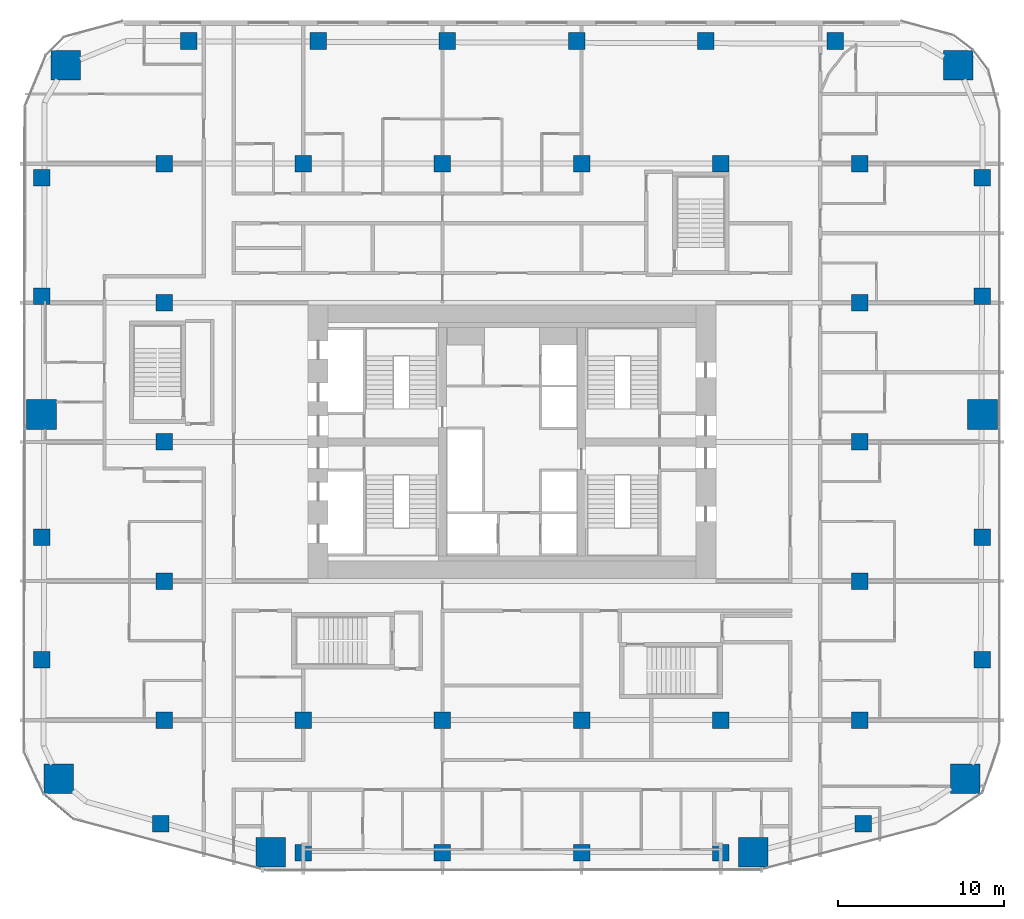
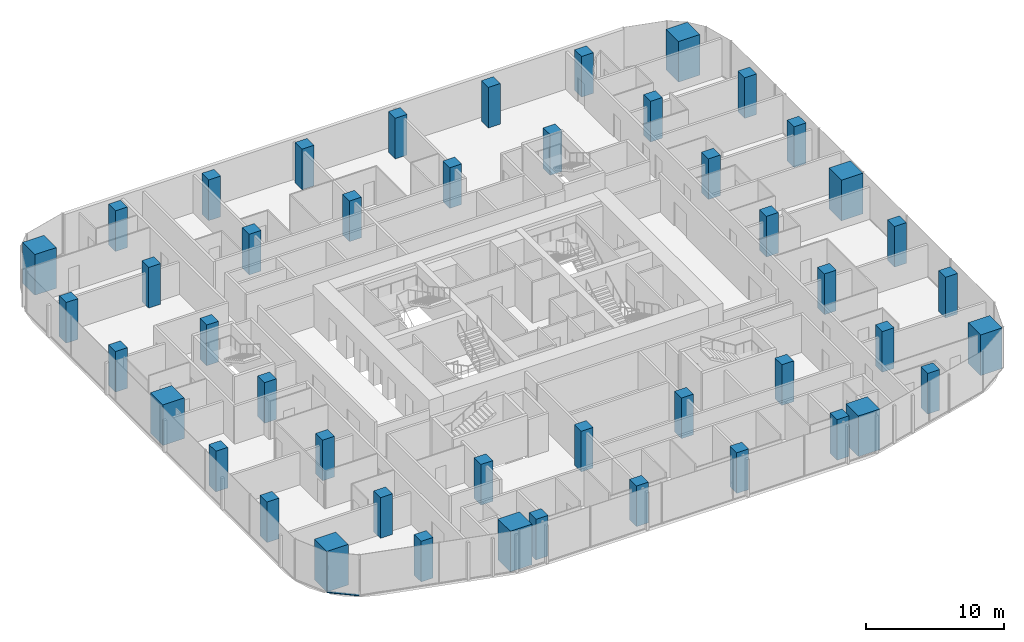
# One storey, part 1 of 25: 46 columns, 1 member, 1 element without a shape of its own.
"""IFC4 building model written with IfcOpenShell, lengths in metres."""

from ifc_helpers import new_model, si_unit, direction, frame, origin, origin_2d, place, context, subcontext, project, spatial, rectangle, extrude, material, layer, layer_set, material_profile, profile_set, type_object, element, aggregate, save


model = new_model("IFC4")

# Units and contexts
model_context = context("Model", 3, precision=1e-05, world=origin(), true_north=direction((0.0, 1.0)))
body_context = subcontext(model_context, "Body", "Model", "MODEL_VIEW")
ifc_project = project(units=[si_unit("LENGTHUNIT", "METRE"), si_unit("AREAUNIT", "SQUARE_METRE"), si_unit("VOLUMEUNIT", "CUBIC_METRE"), si_unit("PLANEANGLEUNIT", "RADIAN"), si_unit("MASSUNIT", "GRAM", prefix="KILO")], contexts=[model_context])

# Site, building, storey
site_placement = place(None, origin())
site = spatial("IfcSite", under=ifc_project, at=site_placement, CompositionType="ELEMENT")
building_placement = place(site_placement, origin())
building = spatial("IfcBuilding", under=site, at=building_placement, Name="Marenta Gate Hotel Tower", CompositionType="ELEMENT")
storey_placement = place(building_placement, frame((0.0, 0.0, 50.89990234375)))
storey = spatial("IfcBuildingStorey", under=building, at=storey_placement, Name="L10", CompositionType="ELEMENT", Elevation=50.89990234375)

# Columns
ifc_material_1 = material(Name="Concrete C80", Category="concrete")
ifc_material_profile_1 = material_profile(ifc_material_1, rectangle(XDim=1.0, YDim=1.0, at=origin_2d()), Name="1000 x 1000")
ifc_profile_set_1 = profile_set([ifc_material_profile_1], Name="Concrete C80")
column_type_1 = type_object("IfcColumnType", Name="Edge column 1000 x 1000 C80", PredefinedType="COLUMN", material=ifc_profile_set_1)
for number, where, z_axis, x_axis, name in (
    (1, (-28.39990234375, -4.751953125, 0.0), (0.0, 0.0, 1.0), (1.0, 0.0, 0.0), "L10-EC-SW-W-1"),
    (2, (-28.39990234375, 2.649169921875, 0.0), (0.0, 0.0, 1.0), (1.0, 0.0, 0.0), "L10-EC-SW-W-2"),
    (3, (-28.39990234375, 17.203125, 0.0), (0.0, 0.0, 1.0), (1.0, 0.0, 0.0), "L10-EC-W-NW-1"),
    (4, (-28.39990234375, 24.3564453125, 0.0), (0.0, 0.0, 1.0), (1.0, 0.0, 0.0), "L10-EC-W-NW-2"),
    (5, (-19.5068359375, 32.60009765625, 0.0), (0.0, 0.0, 1.0), (1.0, 0.0, 0.0), "L10-EC-NW-NE-1"),
    (6, (-11.7041015625, 32.60009765625, 0.0), (0.0, 0.0, 1.0), (1.0, 0.0, 0.0), "L10-EC-NW-NE-2"),
    (7, (-3.9013671875, 32.60009765625, 0.0), (0.0, 0.0, 1.0), (1.0, 0.0, 0.0), "L10-EC-NW-NE-3"),
    (8, (3.9013671875, 32.60009765625, 0.0), (0.0, 0.0, 1.0), (1.0, 0.0, 0.0), "L10-EC-NW-NE-4"),
    (9, (11.7041015625, 32.60009765625, 0.0), (0.0, 0.0, 1.0), (1.0, 0.0, 0.0), "L10-EC-NW-NE-5"),
    (10, (19.5068359375, 32.60009765625, 0.0), (0.0, 0.0, 1.0), (1.0, 0.0, 0.0), "L10-EC-NW-NE-6"),
    (11, (28.39990234375, 24.3564453125, 0.0), (0.0, 0.0, 1.0), (1.0, 0.0, 0.0), "L10-EC-NE-E-1"),
    (12, (28.39990234375, 17.203125, 0.0), (0.0, 0.0, 1.0), (1.0, 0.0, 0.0), "L10-EC-NE-E-2"),
    (13, (28.39990234375, 2.649169921875, 0.0), (0.0, 0.0, 1.0), (1.0, 0.0, 0.0), "L10-EC-E-SE-1"),
    (14, (28.39990234375, -4.751953125, 0.0), (0.0, 0.0, 1.0), (1.0, 0.0, 0.0), "L10-EC-E-SE-2"),
    (15, (21.206787109375, -14.63916015625, 0.0), (0.0, 0.0, 1.0), (1.0, 0.0, 0.0), "L10-EC-SE-SKE-1"),
    (16, (12.60009765625, -16.39990234375, 0.0), (0.0, 0.0, 1.0), (1.0, 0.0, 0.0), "L10-EC-SKE-SKW-1"),
    (17, (4.199951171875, -16.39990234375, 0.0), (0.0, 0.0, 1.0), (1.0, 0.0, 0.0), "L10-EC-SKE-SKW-2"),
    (18, (-4.199951171875, -16.39990234375, 0.0), (0.0, 0.0, 1.0), (1.0, 0.0, 0.0), "L10-EC-SKE-SKW-3"),
    (19, (-12.60009765625, -16.39990234375, 0.0), (0.0, 0.0, 1.0), (1.0, 0.0, 0.0), "L10-EC-SKE-SKW-4"),
    (20, (-21.206787109375, -14.63916015625, 0.0), (0.0, 0.0, 1.0), (1.0, 0.0, 0.0), "L10-EC-SKW-SW-1"),
):
    element("IfcColumn", number, at=place(storey_placement, frame(where, z_axis=z_axis, x_axis=x_axis)), inside=storey, type_object=column_type_1, Name=name, PredefinedType="COLUMN", context=body_context, shape_type="SweptSolid", body=[
        extrude(rectangle(XDim=1.0, YDim=1.0, at=origin_2d()), origin(), (0.0, 0.0, 1.0), 3.60009765625),
    ])
ifc_material_2 = material(Name="Concrete C80", Category="concrete")
ifc_material_profile_2 = material_profile(ifc_material_2, rectangle(XDim=1.0, YDim=1.0, at=origin_2d()), Name="1000 x 1000")
ifc_profile_set_2 = profile_set([ifc_material_profile_2], Name="Concrete C80")
column_type_2 = type_object("IfcColumnType", Name="Interior column 1000 x 1000 C80", PredefinedType="COLUMN", material=ifc_profile_set_2)
for number, where, z_axis, x_axis, name in (
    (21, (-21.0, -8.39990234375, 0.0), (0.0, 0.0, 1.0), (1.0, 0.0, 0.0), "L10-IC-4E"),
    (22, (-21.0, 0.0, 0.0), (0.0, 0.0, 1.0), (1.0, 0.0, 0.0), "L10-IC-4F"),
    (23, (-21.0, 8.39990234375, 0.0), (0.0, 0.0, 1.0), (1.0, 0.0, 0.0), "L10-IC-4G"),
    (24, (-21.0, 16.800048828125, 0.0), (0.0, 0.0, 1.0), (1.0, 0.0, 0.0), "L10-IC-4H"),
    (25, (-21.0, 25.199951171875, 0.0), (0.0, 0.0, 1.0), (1.0, 0.0, 0.0), "L10-IC-4I"),
    (26, (-12.60009765625, -8.39990234375, 0.0), (0.0, 0.0, 1.0), (1.0, 0.0, 0.0), "L10-IC-5E"),
    (27, (-12.60009765625, 25.199951171875, 0.0), (0.0, 0.0, 1.0), (1.0, 0.0, 0.0), "L10-IC-5I"),
    (28, (-4.199951171875, -8.39990234375, 0.0), (0.0, 0.0, 1.0), (1.0, 0.0, 0.0), "L10-IC-6E"),
    (29, (-4.199951171875, 25.199951171875, 0.0), (0.0, 0.0, 1.0), (1.0, 0.0, 0.0), "L10-IC-6I"),
    (30, (4.199951171875, -8.39990234375, 0.0), (0.0, 0.0, 1.0), (1.0, 0.0, 0.0), "L10-IC-7E"),
    (31, (4.199951171875, 25.199951171875, 0.0), (0.0, 0.0, 1.0), (1.0, 0.0, 0.0), "L10-IC-7I"),
    (32, (12.60009765625, -8.39990234375, 0.0), (0.0, 0.0, 1.0), (1.0, 0.0, 0.0), "L10-IC-8E"),
    (33, (12.60009765625, 25.199951171875, 0.0), (0.0, 0.0, 1.0), (1.0, 0.0, 0.0), "L10-IC-8I"),
    (34, (21.0, -8.39990234375, 0.0), (0.0, 0.0, 1.0), (1.0, 0.0, 0.0), "L10-IC-9E"),
    (35, (21.0, 0.0, 0.0), (0.0, 0.0, 1.0), (1.0, 0.0, 0.0), "L10-IC-9F"),
    (36, (21.0, 8.39990234375, 0.0), (0.0, 0.0, 1.0), (1.0, 0.0, 0.0), "L10-IC-9G"),
    (37, (21.0, 16.800048828125, 0.0), (0.0, 0.0, 1.0), (1.0, 0.0, 0.0), "L10-IC-9H"),
    (38, (21.0, 25.199951171875, 0.0), (0.0, 0.0, 1.0), (1.0, 0.0, 0.0), "L10-IC-9I"),
):
    element("IfcColumn", number, at=place(storey_placement, frame(where, z_axis=z_axis, x_axis=x_axis)), inside=storey, type_object=column_type_2, Name=name, PredefinedType="COLUMN", context=body_context, shape_type="SweptSolid", body=[
        extrude(rectangle(XDim=1.0, YDim=1.0, at=origin_2d()), origin(), (0.0, 0.0, 1.0), 3.60009765625),
    ])
ifc_material_3 = material(Name="Concrete C80", Category="concrete")
ifc_material_profile_3 = material_profile(ifc_material_3, rectangle(XDim=1.800048828125, YDim=1.800048828125, at=origin_2d()), Name="1800 x 1800")
ifc_profile_set_3 = profile_set([ifc_material_profile_3], Name="Concrete C80")
column_type_3 = type_object("IfcColumnType", Name="Mega column 1800 x 1800 C80", PredefinedType="COLUMN", material=ifc_profile_set_3)
for number, where, z_axis, x_axis, name in (
    (39, (-27.363037109375, -11.93310546875, 0.0), (0.0, 0.0, 1.0), (1.0, 0.0, 0.0), "L10-MC-SW"),
    (40, (-14.56640625, -16.374755859375, 0.0), (0.0, 0.0, 1.0), (1.0, 0.0, 0.0), "L10-MC-SKW"),
    (41, (14.56640625, -16.374755859375, 0.0), (0.0, 0.0, 1.0), (1.0, 0.0, 0.0), "L10-MC-SKE"),
    (42, (27.363037109375, -11.93310546875, 0.0), (0.0, 0.0, 1.0), (1.0, 0.0, 0.0), "L10-MC-SE"),
    (43, (28.39990234375, 10.050048828125, 0.0), (0.0, 0.0, 1.0), (1.0, 0.0, 0.0), "L10-MC-E"),
    (44, (26.935546875, 31.135498046875, 0.0), (0.0, 0.0, 1.0), (1.0, 0.0, 0.0), "L10-MC-NE"),
    (45, (-26.935546875, 31.135498046875, 0.0), (0.0, 0.0, 1.0), (1.0, 0.0, 0.0), "L10-MC-NW"),
    (46, (-28.39990234375, 10.050048828125, 0.0), (0.0, 0.0, 1.0), (1.0, 0.0, 0.0), "L10-MC-W"),
):
    element("IfcColumn", number, at=place(storey_placement, frame(where, z_axis=z_axis, x_axis=x_axis)), inside=storey, type_object=column_type_3, Name=name, PredefinedType="COLUMN", context=body_context, shape_type="SweptSolid", body=[
        extrude(rectangle(XDim=1.800048828125, YDim=1.800048828125, at=origin_2d()), origin(), (0.0, 0.0, 1.0), 3.60009765625),
    ])

# Curtain wall, member
ifc_material_4 = material(Name="Tinted insulated glass in bronze anodised frame", Category="glass")
ifc_layer = layer(ifc_material_4, 0.1201171875)
ifc_layer_set = layer_set([ifc_layer], Name="Tinted insulated glass in bronze anodised frame")
curtain_wall_type = type_object("IfcCurtainWallType", Name="Tower unitised curtain wall CW1", PredefinedType="NOTDEFINED", material=ifc_layer_set)
curtain_wall_placement = place(storey_placement, origin())
curtain_wall = element("IfcCurtainWall", 47, at=curtain_wall_placement, inside=storey, type_object=curtain_wall_type, Name="CW1 run G05", PredefinedType="NOTDEFINED")
ifc_material_5 = material(Name="Bronze anodised aluminium", Category="aluminium")
ifc_material_profile_4 = material_profile(ifc_material_5, rectangle(XDim=0.1201171875, YDim=0.06005859375, at=origin_2d()), Name="Transom CW1 60x120 bronze anodised aluminium")
ifc_profile_set_4 = profile_set([ifc_material_profile_4], Name="Bronze anodised aluminium")
member_type = type_object("IfcMemberType", Name="Transom CW1 60x120 bronze anodised aluminium", PredefinedType="USERDEFINED", material=ifc_profile_set_4)
member_placement = place(storey_placement, frame((-28.228271484375, -12.880126953125, 0.030029296875), z_axis=(0.767079699321, -0.641551817775, 0.0), x_axis=(0.641551817775, 0.767079699321, 0.0)))
member = element("IfcMember", 48, at=member_placement, type_object=member_type, Name="CW1 transom 1.1", ObjectType="TRANSOM", PredefinedType="USERDEFINED", context=body_context, shape_type="SweptSolid", body=[
    extrude(rectangle(XDim=0.1201171875, YDim=0.06005859375, at=origin_2d()), origin(), (0.0, 0.0, 1.0), 2.31640625),
])
aggregate(curtain_wall, [member])

save(model, "model.ifc")
